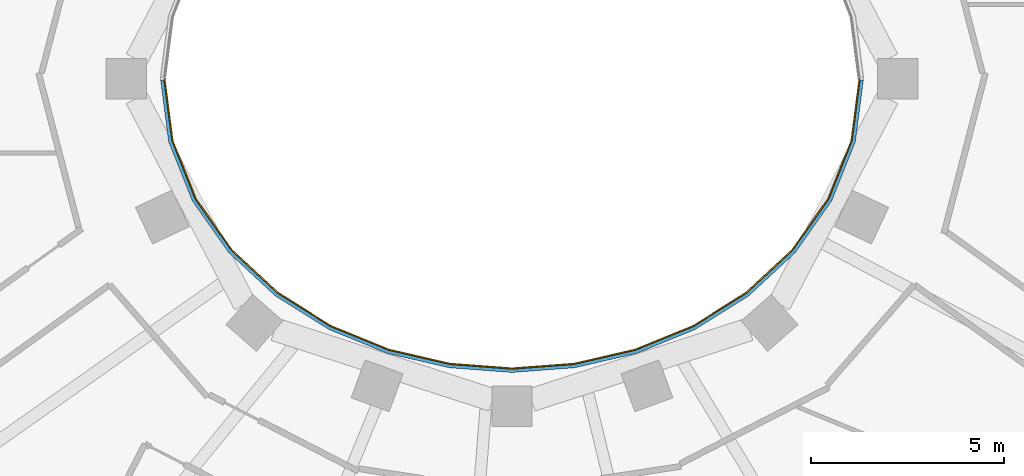
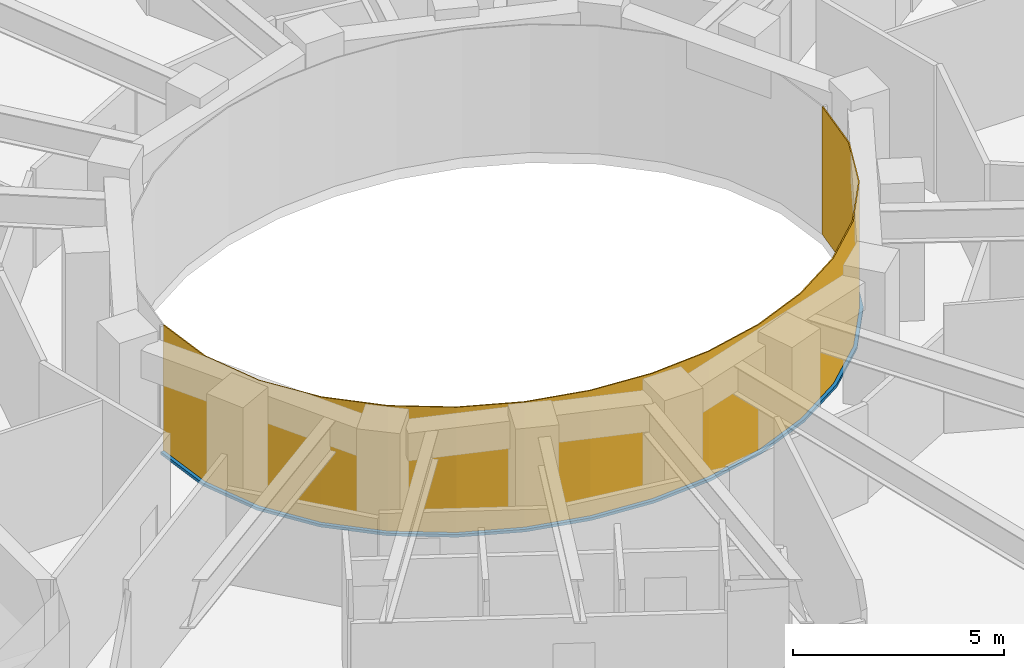
# One storey, part 9 of 16: 1 curtain wall, 1 member.
"""IFC4 building model written with IfcOpenShell, lengths in metres."""

from ifc_helpers import new_model, si_unit, direction, frame, origin, place, context, subcontext, project, spatial, polyline, outline, extrude, material, layer, layer_set, type_object, element, aggregate, save


model = new_model("IFC4")

# Units and contexts
model_context = context("Model", 3, precision=1e-05, world=origin(), true_north=direction((0.0, 1.0)))
body_context = subcontext(model_context, "Body", "Model", "MODEL_VIEW")
ifc_project = project(units=[si_unit("LENGTHUNIT", "METRE"), si_unit("AREAUNIT", "SQUARE_METRE"), si_unit("VOLUMEUNIT", "CUBIC_METRE"), si_unit("PLANEANGLEUNIT", "RADIAN"), si_unit("MASSUNIT", "GRAM", prefix="KILO")], contexts=[model_context])

# Member
ifc_material_1 = material(Name="Steel S355 fire-resisting frame", Category="steel")
member_type = type_object("IfcMemberType", Name="ENV-TRANSOM-W", PredefinedType="USERDEFINED", material=ifc_material_1)
site_placement = place(None, origin())
building_placement = place(site_placement, origin())
storey_placement = place(building_placement, frame((0.0, 0.0, 174.0)))
member_placement = place(storey_placement, origin())
member = element("IfcMember", 1, at=member_placement, type_object=member_type, Name="Transom W well 17-01", ObjectType="TRANSOM", PredefinedType="USERDEFINED", context=body_context, shape_type="SweptSolid", body=[
    extrude(outline(polyline([(-9.119384765625, -0.02783203125), (-8.910400390625, -1.63623046875), (-8.29833984375, -3.167236328125), (-7.35107421875, -4.5146484375), (-6.1455078125, -5.6337890625), (-4.75341796875, -6.50634765625), (-3.233642578125, -7.127685546875), (-1.635498046875, -7.498779296875), (0.0, -7.622314453125), (1.635498046875, -7.498779296875), (3.233642578125, -7.127685546875), (4.75341796875, -6.50634765625), (6.1455078125, -5.6337890625), (7.35107421875, -4.5146484375), (8.29833984375, -3.167236328125), (8.910400390625, -1.63623046875), (9.119384765625, -0.02783203125), (9.02880859375, -0.02783203125), (8.822509765625, -1.61328125), (8.21875, -3.124267578125), (7.282958984375, -4.455078125), (6.090576171875, -5.56201171875), (4.712158203125, -6.426025390625), (3.206298828125, -7.04150390625), (1.621826171875, -7.40966796875), (0.0, -7.531982421875), (-1.621826171875, -7.40966796875), (-3.206298828125, -7.04150390625), (-4.712158203125, -6.426025390625), (-6.090576171875, -5.56201171875), (-7.282958984375, -4.455078125), (-8.21875, -3.124267578125), (-8.822509765625, -1.61328125), (-9.02880859375, -0.02783203125), (-9.119384765625, -0.02783203125)])), origin(), (0.0, 0.0, 1.0), 0.080078125),
])

# Site, building, storey
site = spatial("IfcSite", under=ifc_project, at=site_placement, CompositionType="ELEMENT")
building = spatial("IfcBuilding", under=site, at=building_placement, Name="Noorbagh Ring Tower", CompositionType="ELEMENT")
storey = spatial("IfcBuildingStorey", under=building, at=storey_placement, Name="L40", CompositionType="ELEMENT", Elevation=174.0)

# Curtain wall
ifc_material_2 = material(Name="Glass fire-resisting E60 laminated", Category="glass")
ifc_layer = layer(ifc_material_2, 0.031982421875)
ifc_layer_set = layer_set([ifc_layer], Name="Glass fire-resisting E60 laminated")
curtain_wall_type = type_object("IfcCurtainWallType", Name="ENV-CW-W", PredefinedType="NOTDEFINED", material=ifc_layer_set)
curtain_wall_placement = place(storey_placement, origin())
curtain_wall = element("IfcCurtainWall", 2, at=curtain_wall_placement, inside=storey, type_object=curtain_wall_type, Name="Curtain wall W W17", PredefinedType="NOTDEFINED", context=body_context, shape_type="SweptSolid", body=[
    extrude(outline(polyline([(-9.0322265625, 0.0), (-8.822509765625, -1.61328125), (-8.21875, -3.124267578125), (-7.282958984375, -4.455078125), (-6.090576171875, -5.56201171875), (-4.712158203125, -6.426025390625), (-3.206298828125, -7.04150390625), (-1.621826171875, -7.40966796875), (0.0, -7.531982421875), (1.621826171875, -7.40966796875), (3.206298828125, -7.04150390625), (4.712158203125, -6.426025390625), (6.090576171875, -5.56201171875), (7.282958984375, -4.455078125), (8.21875, -3.124267578125), (8.822509765625, -1.61328125), (9.0322265625, 0.0), (9.0, 0.0), (8.79150390625, -1.605224609375), (8.1904296875, -3.10888671875), (7.2587890625, -4.43408203125), (6.071044921875, -5.53662109375), (4.697509765625, -6.3974609375), (3.196533203125, -7.010986328125), (1.6171875, -7.3779296875), (0.0, -7.5), (-1.6171875, -7.3779296875), (-3.196533203125, -7.010986328125), (-4.697509765625, -6.3974609375), (-6.071044921875, -5.53662109375), (-7.2587890625, -4.43408203125), (-8.1904296875, -3.10888671875), (-8.79150390625, -1.605224609375), (-9.0, 0.0), (-9.0322265625, 0.0)])), origin(), (0.0, 0.0, 1.0), 3.699951171875),
])

aggregate(curtain_wall, [member])

save(model, "model.ifc")
